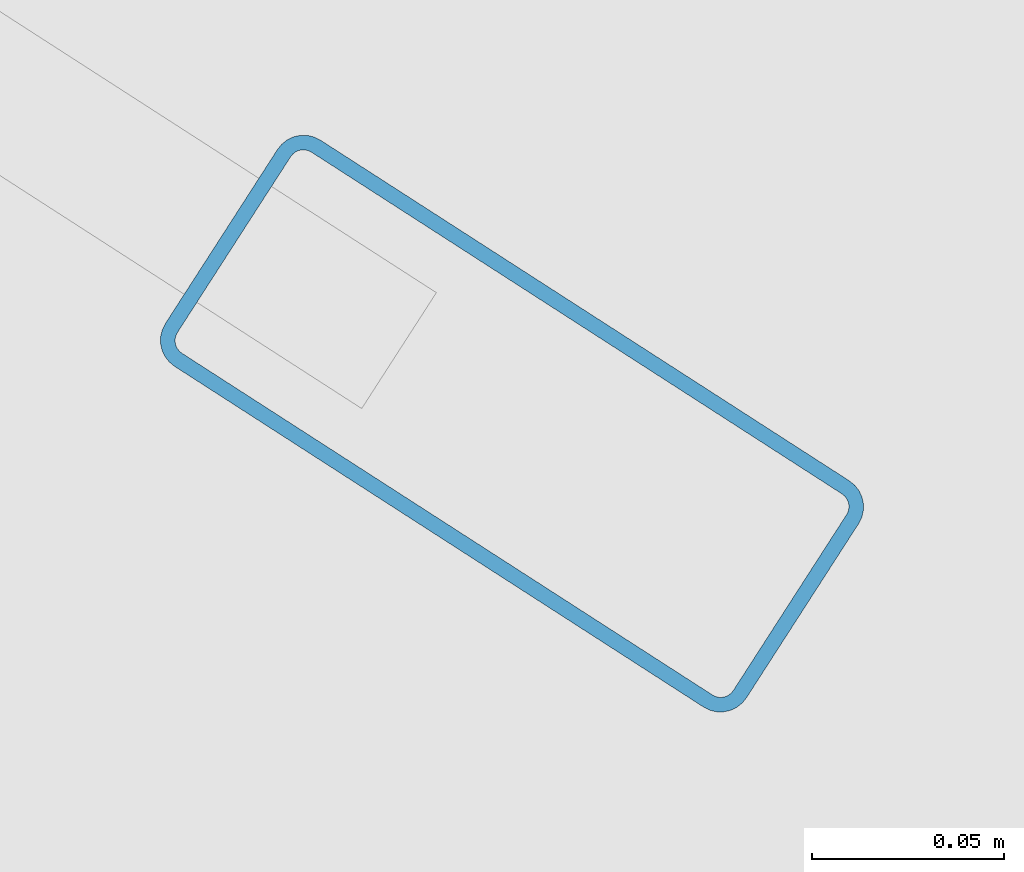
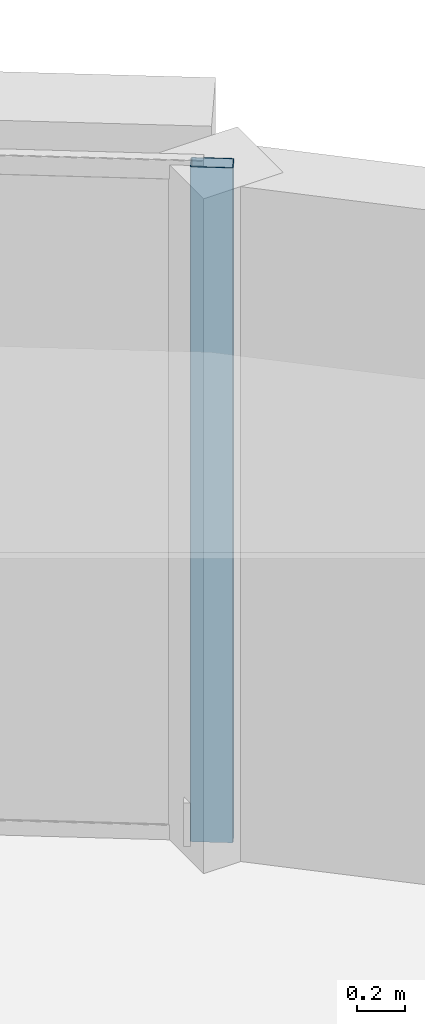
# One storey, part 5 of 14: 1 member, 1 element without a shape of its own.
"""IFC4 building model written with IfcOpenShell, lengths in metres."""

from ifc_helpers import new_model, si_unit, direction, frame, origin, origin_2d, place, context, subcontext, project, spatial, hollow_rectangle, extrude, material, layer, layer_set, material_profile, profile_set, type_object, element, aggregate, save


model = new_model("IFC4")

# Units and contexts
model_context = context("Model", 3, precision=1e-05, world=origin(), true_north=direction((0.0, 1.0)))
body_context = subcontext(model_context, "Body", "Model", "MODEL_VIEW")
ifc_project = project(units=[si_unit("LENGTHUNIT", "METRE"), si_unit("AREAUNIT", "SQUARE_METRE"), si_unit("VOLUMEUNIT", "CUBIC_METRE"), si_unit("PLANEANGLEUNIT", "RADIAN"), si_unit("MASSUNIT", "GRAM", prefix="KILO")], contexts=[model_context])

# Site, building, storey
site_placement = place(None, origin())
site = spatial("IfcSite", under=ifc_project, at=site_placement, CompositionType="ELEMENT")
building_placement = place(site_placement, origin())
building = spatial("IfcBuilding", under=site, at=building_placement, Name="An Khanh Terracotta Commons", CompositionType="ELEMENT")
storey_placement = place(building_placement, frame((0.0, 0.0, 154.60009765625)))
storey = spatial("IfcBuildingStorey", under=building, at=storey_placement, Name="L40", CompositionType="ELEMENT", Elevation=154.60009765625)

# Curtain wall, member
ifc_material = material(Name="Anodised Aluminium 6063-T6", Category="aluminium")
ifc_layer = layer(ifc_material, 0.2099609375, Name="Anodised Aluminium 6063-T6")
ifc_layer_set = layer_set([ifc_layer], Name="Anodised Aluminium 6063-T6")
curtain_wall_type = type_object("IfcCurtainWallType", Name="CW-SYS-03", PredefinedType="USERDEFINED", material=ifc_layer_set)
curtain_wall_placement = place(storey_placement, origin())
curtain_wall = element("IfcCurtainWall", 1, at=curtain_wall_placement, inside=storey, type_object=curtain_wall_type, Name="L40 CW-03 Unitised Curtain Wall CW-L40-16", ObjectType="UNITISED CURTAIN WALL", PredefinedType="USERDEFINED")
ifc_material_profile = material_profile(ifc_material, hollow_rectangle(XDim=0.070068359375, YDim=0.179931640625, WallThickness=0.00390625, InnerFilletRadius=0.00390625, OuterFilletRadius=0.008056640625, at=origin_2d()), Name="RHS180x70x4")
ifc_profile_set = profile_set([ifc_material_profile], Name="Anodised Aluminium 6063-T6")
member_type = type_object("IfcMemberType", Name="CWM-RHS180x70x4", PredefinedType="MULLION", material=ifc_profile_set)
member_placement = place(storey_placement, frame((60.448486328125, 35.843017578125, 0.0), z_axis=(0.0, 0.0, 1.0), x_axis=(-0.541497931062, -0.840702081986, 0.0)))
member = element("IfcMember", 2, at=member_placement, type_object=member_type, Name="CW-03 mullion 1", PredefinedType="MULLION", context=body_context, shape_type="SweptSolid", body=[
    extrude(hollow_rectangle(XDim=0.070068359375, YDim=0.179931640625, WallThickness=0.00390625, InnerFilletRadius=0.00390625, OuterFilletRadius=0.008056640625, at=origin_2d()), origin(), (0.0, 0.0, 1.0), 3.39990234375),
])
aggregate(curtain_wall, [member])

save(model, "model.ifc")
